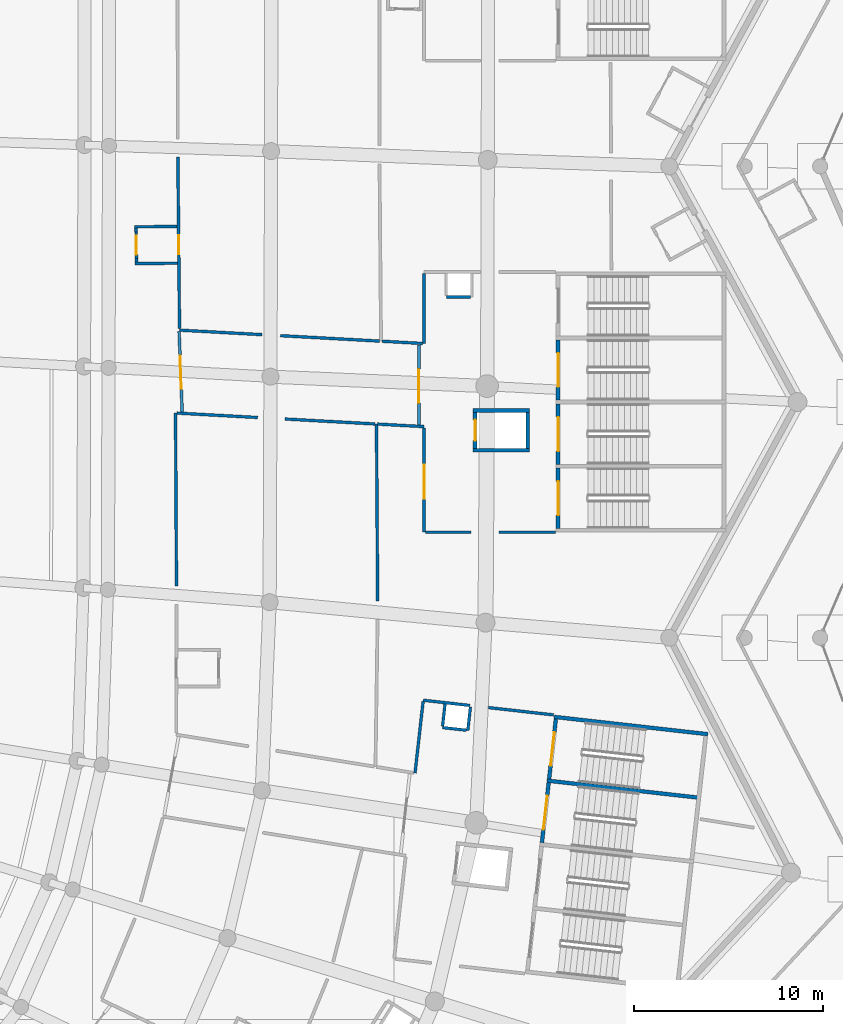
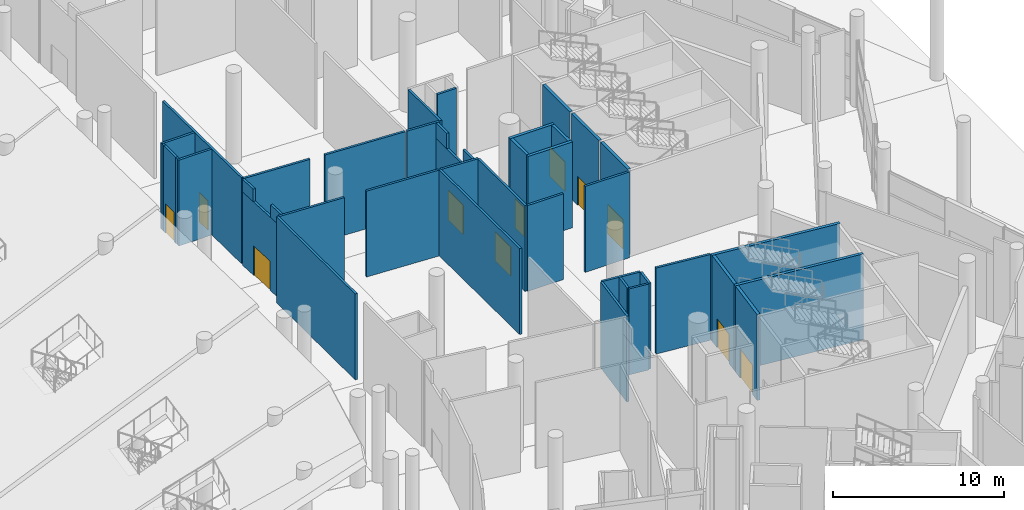
# One storey, part 128 of 255: 42 walls, 11 doors, 11 openings.
"""IFC4 building model written with IfcOpenShell, lengths in metres."""

from ifc_helpers import new_model, si_unit, direction, frame, frame_2d, origin, place, context, subcontext, project, spatial, rectangle, extrude, material, layer, layer_set, type_object, element, fill, save


model = new_model("IFC4")

# Units and contexts
model_context = context("Model", 3, precision=1e-05, world=origin(), true_north=direction((0.0, 1.0)))
body_context = subcontext(model_context, "Body", "Model", "MODEL_VIEW")
ifc_project = project(units=[si_unit("LENGTHUNIT", "METRE"), si_unit("AREAUNIT", "SQUARE_METRE"), si_unit("VOLUMEUNIT", "CUBIC_METRE"), si_unit("PLANEANGLEUNIT", "RADIAN"), si_unit("MASSUNIT", "GRAM", prefix="KILO")], contexts=[model_context])

# Site, building, storey
site_placement = place(None, origin())
site = spatial("IfcSite", under=ifc_project, at=site_placement, CompositionType="ELEMENT")
building_placement = place(site_placement, origin())
building = spatial("IfcBuilding", under=site, at=building_placement, Name="Meseta Stadium", CompositionType="ELEMENT")
storey_placement = place(building_placement, origin())
storey = spatial("IfcBuildingStorey", under=building, at=storey_placement, Name="L00", CompositionType="ELEMENT", Elevation=0.0)

# Walls
ifc_material_1 = material(Name="Concrete C40/50", Category="concrete")
ifc_layer_1 = layer(ifc_material_1, 0.199951171875)
ifc_layer_set_1 = layer_set([ifc_layer_1], Name="Core divider wall 200")
wall_type_1 = type_object("IfcWallType", Name="Core divider wall 200", PredefinedType="SHEAR", material=ifc_layer_set_1)
wall_1_placement = place(storey_placement, frame((96.264892578125, -52.241943359375, 0.0), z_axis=(0.0, 0.0, 1.0), x_axis=(-0.993713731549, 0.111950970206, 0.0)))
element("IfcWall", 1, at=wall_1_placement, inside=storey, type_object=wall_type_1, Name="Core 01 L00 stair B divider wall", PredefinedType="SHEAR", context=body_context, shape_type="SweptSolid", body=[
    extrude(rectangle(XDim=8.19970703125, YDim=0.199951171875, at=frame_2d((4.099853515625, 0.0))), origin(), (0.0, 0.0, 1.0), 6.14990234375),
])
ifc_material_2 = material(Name="Concrete C40/50", Category="concrete")
ifc_layer_2 = layer(ifc_material_2, 0.199951171875)
ifc_layer_set_2 = layer_set([ifc_layer_2], Name="Core shaft wall 200")
wall_type_2 = type_object("IfcWallType", Name="Core shaft wall 200", PredefinedType="SHEAR", material=ifc_layer_set_2)
wall_2_placement = place(storey_placement, frame((96.645751953125, -48.86328125, 0.0), z_axis=(0.0, 0.0, 1.0), x_axis=(-0.993714104693, 0.111947658007, 0.0)))
element("IfcWall", 2, at=wall_2_placement, inside=storey, type_object=wall_type_2, Name="Core 01 L00 stair wall B-side", PredefinedType="SHEAR", context=body_context, shape_type="SweptSolid", body=[
    extrude(rectangle(XDim=8.199951171875, YDim=0.199951171875, at=frame_2d((4.10009765625, 0.0))), origin(), (0.0, 0.0, 1.0), 6.14990234375),
])

# Wall, opening, door
wall_3_placement = place(storey_placement, frame((87.846435546875, -54.6142578125, 0.0), z_axis=(0.0, 0.0, 1.0), x_axis=(0.112005735442, 0.993707560215, 0.0)))
wall_3 = element("IfcWall", 3, at=wall_3_placement, inside=storey, type_object=wall_type_2, Name="Core 01 L00 stair B1 inner end wall", PredefinedType="SHEAR", context=body_context, shape_type="SweptSolid", body=[
    extrude(rectangle(XDim=3.19970703125, YDim=0.199951171875, at=frame_2d((1.599853515625, 0.0))), origin(), (0.0, 0.0, 1.0), 6.14990234375),
])
opening_1_placement = place(wall_3_placement, frame((0.699951171875, 0.0, 0.0)))
opening_1 = element("IfcOpeningElement", 4, at=opening_1_placement, cuts=wall_3, Name="Opening D037", PredefinedType="OPENING", context=body_context, shape_type="SweptSolid", body=[
    extrude(rectangle(XDim=1.800048828125, YDim=2.10009765625, at=frame_2d((0.89990234375, 1.050048828125))), frame((0.0, 0.10986328125, 0.0), z_axis=(0.0, -1.0, 0.0), x_axis=(1.0, 0.0, 0.0)), (0.0, 0.0, 1.0), 0.219970703125),
])
ifc_material_3 = material(Name="Steel", Category="steel")
door_type_1 = type_object("IfcDoorType", Name="Stair door 1800x2100", OperationType="DOUBLE_DOOR_SINGLE_SWING", PredefinedType="DOOR", material=ifc_material_3)
door_1_placement = place(opening_1_placement, origin())
door_1 = element("IfcDoor", 5, at=door_1_placement, inside=storey, type_object=door_type_1, Name="Stair B1 door 01 L00", OperationType="DOUBLE_DOOR_SINGLE_SWING", OverallHeight=2.10009765625, OverallWidth=1.800048828125, PredefinedType="DOOR", context=body_context, shape_type="SweptSolid", body=[
    extrude(rectangle(XDim=1.800048828125, YDim=2.10009765625, at=frame_2d((0.89990234375, 1.050048828125))), frame((0.0, 0.02490234375, 0.0), z_axis=(0.0, -1.0, 0.0), x_axis=(1.0, 0.0, 0.0)), (0.0, 0.0, 1.0), 0.050048828125),
])
fill(opening_1, door_1)

wall_4_placement = place(storey_placement, frame((88.227294921875, -51.235595703125, 0.0), z_axis=(0.0, 0.0, 1.0), x_axis=(0.111930393474, 0.993716049491, 0.0)))
wall_4 = element("IfcWall", 6, at=wall_4_placement, inside=storey, type_object=wall_type_2, Name="Core 01 L00 stair B2 inner end wall", PredefinedType="SHEAR", context=body_context, shape_type="SweptSolid", body=[
    extrude(rectangle(XDim=3.19970703125, YDim=0.199951171875, at=frame_2d((1.599853515625, 0.0))), origin(), (0.0, 0.0, 1.0), 6.14990234375),
])
opening_2_placement = place(wall_4_placement, frame((0.699951171875, 0.0, 0.0)))
opening_2 = element("IfcOpeningElement", 7, at=opening_2_placement, cuts=wall_4, Name="Opening D038", PredefinedType="OPENING", context=body_context, shape_type="SweptSolid", body=[
    extrude(rectangle(XDim=1.800048828125, YDim=2.10009765625, at=frame_2d((0.89990234375, 1.050048828125))), frame((0.0, 0.10986328125, 0.0), z_axis=(0.0, -1.0, 0.0), x_axis=(1.0, 0.0, 0.0)), (0.0, 0.0, 1.0), 0.219970703125),
])
door_2_placement = place(opening_2_placement, origin())
door_2 = element("IfcDoor", 8, at=door_2_placement, inside=storey, type_object=door_type_1, Name="Stair B2 door 01 L00", OperationType="DOUBLE_DOOR_SINGLE_SWING", OverallHeight=2.10009765625, OverallWidth=1.800048828125, PredefinedType="DOOR", context=body_context, shape_type="SweptSolid", body=[
    extrude(rectangle(XDim=1.800048828125, YDim=2.10009765625, at=frame_2d((0.89990234375, 1.050048828125))), frame((0.0, 0.02490234375, 0.0), z_axis=(0.0, -1.0, 0.0), x_axis=(1.0, 0.0, 0.0)), (0.0, 0.0, 1.0), 0.050048828125),
])
fill(opening_2, door_2)

wall_5_placement = place(storey_placement, frame((88.699951171875, -37.949951171875, 0.0), z_axis=(0.0, 0.0, 1.0), x_axis=(0.0, 1.0, 0.0)))
wall_5 = element("IfcWall", 9, at=wall_5_placement, inside=storey, type_object=wall_type_2, Name="Core 02 L00 stair A1 inner end wall", PredefinedType="SHEAR", context=body_context, shape_type="SweptSolid", body=[
    extrude(rectangle(XDim=3.199951171875, YDim=0.199951171875, at=frame_2d((1.60009765625, 0.0))), origin(), (0.0, 0.0, 1.0), 6.14990234375),
])
opening_3_placement = place(wall_5_placement, frame((0.699951171875, 0.0, 0.0)))
opening_3 = element("IfcOpeningElement", 10, at=opening_3_placement, cuts=wall_5, Name="Opening D047", PredefinedType="OPENING", context=body_context, shape_type="SweptSolid", body=[
    extrude(rectangle(XDim=1.800048828125, YDim=2.10009765625, at=frame_2d((0.89990234375, 1.050048828125))), frame((0.0, 0.10986328125, 0.0), z_axis=(0.0, -1.0, 0.0), x_axis=(1.0, 0.0, 0.0)), (0.0, 0.0, 1.0), 0.219970703125),
])
door_3_placement = place(opening_3_placement, origin())
door_3 = element("IfcDoor", 11, at=door_3_placement, inside=storey, type_object=door_type_1, Name="Stair A1 door 02 L00", OperationType="DOUBLE_DOOR_SINGLE_SWING", OverallHeight=2.10009765625, OverallWidth=1.800048828125, PredefinedType="DOOR", context=body_context, shape_type="SweptSolid", body=[
    extrude(rectangle(XDim=1.800048828125, YDim=2.10009765625, at=frame_2d((0.89990234375, 1.050048828125))), frame((0.0, 0.02490234375, 0.0), z_axis=(0.0, -1.0, 0.0), x_axis=(1.0, 0.0, 0.0)), (0.0, 0.0, 1.0), 0.050048828125),
])
fill(opening_3, door_3)

wall_6_placement = place(storey_placement, frame((88.699951171875, -34.550048828125, 0.0), z_axis=(0.0, 0.0, 1.0), x_axis=(0.0, 1.0, 0.0)))
wall_6 = element("IfcWall", 12, at=wall_6_placement, inside=storey, type_object=wall_type_2, Name="Core 02 L00 stair A2 inner end wall", PredefinedType="SHEAR", context=body_context, shape_type="SweptSolid", body=[
    extrude(rectangle(XDim=3.199951171875, YDim=0.199951171875, at=frame_2d((1.60009765625, 0.0))), origin(), (0.0, 0.0, 1.0), 6.14990234375),
])
opening_4_placement = place(wall_6_placement, frame((0.699951171875, 0.0, 0.0)))
opening_4 = element("IfcOpeningElement", 13, at=opening_4_placement, cuts=wall_6, Name="Opening D048", PredefinedType="OPENING", context=body_context, shape_type="SweptSolid", body=[
    extrude(rectangle(XDim=1.800048828125, YDim=2.10009765625, at=frame_2d((0.89990234375, 1.050048828125))), frame((0.0, 0.10986328125, 0.0), z_axis=(0.0, -1.0, 0.0), x_axis=(1.0, 0.0, 0.0)), (0.0, 0.0, 1.0), 0.219970703125),
])
door_4_placement = place(opening_4_placement, origin())
door_4 = element("IfcDoor", 14, at=door_4_placement, inside=storey, type_object=door_type_1, Name="Stair A2 door 02 L00", OperationType="DOUBLE_DOOR_SINGLE_SWING", OverallHeight=2.10009765625, OverallWidth=1.800048828125, PredefinedType="DOOR", context=body_context, shape_type="SweptSolid", body=[
    extrude(rectangle(XDim=1.800048828125, YDim=2.10009765625, at=frame_2d((0.89990234375, 1.050048828125))), frame((0.0, 0.02490234375, 0.0), z_axis=(0.0, -1.0, 0.0), x_axis=(1.0, 0.0, 0.0)), (0.0, 0.0, 1.0), 0.050048828125),
])
fill(opening_4, door_4)

wall_7_placement = place(storey_placement, frame((88.699951171875, -31.14990234375, 0.0), z_axis=(0.0, 0.0, 1.0), x_axis=(0.0, 1.0, 0.0)))
wall_7 = element("IfcWall", 15, at=wall_7_placement, inside=storey, type_object=wall_type_2, Name="Core 02 L00 stair B1 inner end wall", PredefinedType="SHEAR", context=body_context, shape_type="SweptSolid", body=[
    extrude(rectangle(XDim=3.199951171875, YDim=0.199951171875, at=frame_2d((1.60009765625, 0.0))), origin(), (0.0, 0.0, 1.0), 6.14990234375),
])
opening_5_placement = place(wall_7_placement, frame((0.699951171875, 0.0, 0.0)))
opening_5 = element("IfcOpeningElement", 16, at=opening_5_placement, cuts=wall_7, Name="Opening D049", PredefinedType="OPENING", context=body_context, shape_type="SweptSolid", body=[
    extrude(rectangle(XDim=1.800048828125, YDim=2.10009765625, at=frame_2d((0.89990234375, 1.050048828125))), frame((0.0, 0.10986328125, 0.0), z_axis=(0.0, -1.0, 0.0), x_axis=(1.0, 0.0, 0.0)), (0.0, 0.0, 1.0), 0.219970703125),
])
door_5_placement = place(opening_5_placement, origin())
door_5 = element("IfcDoor", 17, at=door_5_placement, inside=storey, type_object=door_type_1, Name="Stair B1 door 02 L00", OperationType="DOUBLE_DOOR_SINGLE_SWING", OverallHeight=2.10009765625, OverallWidth=1.800048828125, PredefinedType="DOOR", context=body_context, shape_type="SweptSolid", body=[
    extrude(rectangle(XDim=1.800048828125, YDim=2.10009765625, at=frame_2d((0.89990234375, 1.050048828125))), frame((0.0, 0.02490234375, 0.0), z_axis=(0.0, -1.0, 0.0), x_axis=(1.0, 0.0, 0.0)), (0.0, 0.0, 1.0), 0.050048828125),
])
fill(opening_5, door_5)

# Walls
for number, where, z_axis, x_axis, name in (
    (18, (87.199951171875, -33.800048828125, 0.0), (0.0, 0.0, 1.0), (-1.0, 0.0, 0.0), "Core 02 L00 lift shaft wall left"),
    (19, (87.199951171875, -31.699951171875, 0.0), (0.0, 0.0, 1.0), (-1.0, 0.0, 0.0), "Core 02 L00 lift shaft wall right"),
):
    element("IfcWall", number, at=place(storey_placement, frame(where, z_axis=z_axis, x_axis=x_axis)), inside=storey, type_object=wall_type_2, Name=name, PredefinedType="SHEAR", context=body_context, shape_type="SweptSolid", body=[
        extrude(rectangle(XDim=3.0, YDim=0.199951171875, at=frame_2d((1.5, 0.0))), origin(), (0.0, 0.0, 1.0), 6.14990234375),
    ])
wall_8_placement = place(storey_placement, frame((87.10009765625, -33.699951171875, 0.0), z_axis=(0.0, 0.0, 1.0), x_axis=(0.0, 1.0, 0.0)))
element("IfcWall", 20, at=wall_8_placement, inside=storey, type_object=wall_type_2, Name="Core 02 L00 lift shaft back wall", PredefinedType="SHEAR", context=body_context, shape_type="SweptSolid", body=[
    extrude(rectangle(XDim=1.89990234375, YDim=0.199951171875, at=frame_2d((0.949951171875, 0.0))), origin(), (0.0, 0.0, 1.0), 6.14990234375),
])

# Wall, opening, door
wall_9_placement = place(storey_placement, frame((84.300048828125, -33.699951171875, 0.0), z_axis=(0.0, 0.0, 1.0), x_axis=(0.0, 1.0, 0.0)))
wall_9 = element("IfcWall", 21, at=wall_9_placement, inside=storey, type_object=wall_type_2, Name="Core 02 L00 lift shaft front wall", PredefinedType="SHEAR", context=body_context, shape_type="SweptSolid", body=[
    extrude(rectangle(XDim=1.89990234375, YDim=0.199951171875, at=frame_2d((0.949951171875, 0.0))), origin(), (0.0, 0.0, 1.0), 6.14990234375),
])
opening_6_placement = place(wall_9_placement, frame((0.39990234375, 0.0, 0.0)))
opening_6 = element("IfcOpeningElement", 22, at=opening_6_placement, cuts=wall_9, Name="Opening LD8", PredefinedType="OPENING", context=body_context, shape_type="SweptSolid", body=[
    extrude(rectangle(XDim=1.10009765625, YDim=2.10009765625, at=frame_2d((0.550048828125, 1.050048828125))), frame((0.0, 0.10986328125, 0.0), z_axis=(0.0, -1.0, 0.0), x_axis=(1.0, 0.0, 0.0)), (0.0, 0.0, 1.0), 0.219970703125),
])
ifc_material_4 = material(Name="Steel", Category="steel")
door_type_2 = type_object("IfcDoorType", Name="Lift landing door 1100x2100", OperationType="SLIDING_TO_LEFT", PredefinedType="DOOR", material=ifc_material_4)
door_6_placement = place(opening_6_placement, origin())
door_6 = element("IfcDoor", 23, at=door_6_placement, inside=storey, type_object=door_type_2, Name="Lift landing door LD8", OperationType="SLIDING_TO_RIGHT", OverallHeight=2.10009765625, OverallWidth=1.10009765625, PredefinedType="DOOR", context=body_context, shape_type="SweptSolid", body=[
    extrude(rectangle(XDim=1.10009765625, YDim=2.10009765625, at=frame_2d((0.550048828125, 1.050048828125))), frame((0.0, 0.02490234375, 0.0), z_axis=(0.0, -1.0, 0.0), x_axis=(1.0, 0.0, 0.0)), (0.0, 0.0, 1.0), 0.050048828125),
])
fill(opening_6, door_6)

# Walls
ifc_material_5 = material(Name="Masonry blockwork", Category="masonry")
ifc_layer_3 = layer(ifc_material_5, 0.14990234375)
ifc_layer_set_3 = layer_set([ifc_layer_3], Name="Partition 150")
wall_type_3 = type_object("IfcWallType", Name="Partition 150", PredefinedType="PARTITIONING", material=ifc_layer_set_3)
wall_10_placement = place(storey_placement, frame((79.072265625, -32.41552734375, 0.0), z_axis=(0.0, 0.0, 1.0), x_axis=(0.006628223816, -0.999978033083, 0.0)))
element("IfcWall", 24, at=wall_10_placement, inside=storey, type_object=wall_type_3, Name="Partition L00 L00-cell00-1-0", PredefinedType="PARTITIONING", context=body_context, shape_type="SweptSolid", body=[
    extrude(rectangle(XDim=9.392578125, YDim=0.14990234375, at=frame_2d((4.6962890625, 0.0))), origin(), (0.0, 0.0, 1.0), 6.14990234375),
])
wall_11_placement = place(storey_placement, frame((68.466552734375, -41.00048828125, 0.0), z_axis=(0.0, 0.0, 1.0), x_axis=(-0.005591413512, 0.999984367925, 0.0)))
element("IfcWall", 25, at=wall_11_placement, inside=storey, type_object=wall_type_3, Name="Partition L00 L00-cell00-1-0", PredefinedType="PARTITIONING", context=body_context, shape_type="SweptSolid", body=[
    extrude(rectangle(XDim=9.16943359375, YDim=0.14990234375, at=frame_2d((4.584716796875, 0.0))), origin(), (0.0, 0.0, 1.0), 6.14990234375),
])
wall_12_placement = place(storey_placement, frame((68.490234375, -31.83544921875, 0.0), z_axis=(0.0, 0.0, 1.0), x_axis=(0.998501045086, -0.054732649879, 0.0)))
element("IfcWall", 26, at=wall_12_placement, inside=storey, type_object=wall_type_3, Name="Partition L00 L00-cell00-1-0", PredefinedType="PARTITIONING", context=body_context, shape_type="SweptSolid", body=[
    extrude(rectangle(XDim=4.291015625, YDim=0.14990234375, at=frame_2d((2.1455078125, 0.0))), origin(), (0.0, 0.0, 1.0), 6.14990234375),
])
wall_13_placement = place(storey_placement, frame((74.22802734375, -32.14990234375, 0.0), z_axis=(0.0, 0.0, 1.0), x_axis=(0.998497711882, -0.054793424476, 0.0)))
element("IfcWall", 27, at=wall_13_placement, inside=storey, type_object=wall_type_3, Name="Partition L00 L00-cell00-1-0", PredefinedType="PARTITIONING", context=body_context, shape_type="SweptSolid", body=[
    extrude(rectangle(XDim=4.7763671875, YDim=0.14990234375, at=frame_2d((2.38818359375, 0.0))), origin(), (0.0, 0.0, 1.0), 6.14990234375),
])
wall_14_placement = place(storey_placement, frame((88.46875, -47.84130859375, 0.0), z_axis=(0.0, 0.0, 1.0), x_axis=(-0.993720107873, 0.111894357364, 0.0)))
element("IfcWall", 28, at=wall_14_placement, inside=storey, type_object=wall_type_3, Name="Partition L00 L00-cell00-2-0", PredefinedType="PARTITIONING", context=body_context, shape_type="SweptSolid", body=[
    extrude(rectangle(XDim=3.480224609375, YDim=0.14990234375, at=frame_2d((1.740234375, 0.0))), origin(), (0.0, 0.0, 1.0), 6.14990234375),
])
wall_15_placement = place(storey_placement, frame((84.022705078125, -47.340576171875, 0.0), z_axis=(0.0, 0.0, 1.0), x_axis=(-0.993701549417, 0.112059049998, 0.0)))
element("IfcWall", 29, at=wall_15_placement, inside=storey, type_object=wall_type_3, Name="Partition L00 L00-cell00-2-0", PredefinedType="PARTITIONING", context=body_context, shape_type="SweptSolid", body=[
    extrude(rectangle(XDim=2.48583984375, YDim=0.14990234375, at=frame_2d((1.242919921875, 0.0))), origin(), (0.0, 0.0, 1.0), 6.14990234375),
])
wall_16_placement = place(storey_placement, frame((81.544189453125, -47.13671875, 0.0), z_axis=(0.0, 0.0, 1.0), x_axis=(-0.111997797138, -0.993708454949, 0.0)))
element("IfcWall", 30, at=wall_16_placement, inside=storey, type_object=wall_type_3, Name="Partition L00 L00-cell00-2-0", PredefinedType="PARTITIONING", context=body_context, shape_type="SweptSolid", body=[
    extrude(rectangle(XDim=3.814697265625, YDim=0.14990234375, at=frame_2d((1.9072265625, 0.0))), origin(), (0.0, 0.0, 1.0), 6.14990234375),
])
wall_17_placement = place(storey_placement, frame((79.122314453125, -32.418212890625, 0.0), z_axis=(0.0, 0.0, 1.0), x_axis=(0.998497362752, -0.05479978629, 0.0)))
element("IfcWall", 31, at=wall_17_placement, inside=storey, type_object=wall_type_3, Name="Partition L00 L00-cell00-2-0", PredefinedType="PARTITIONING", context=body_context, shape_type="SweptSolid", body=[
    extrude(rectangle(XDim=2.4814453125, YDim=0.14990234375, at=frame_2d((1.24072265625, 0.0))), origin(), (0.0, 0.0, 1.0), 6.14990234375),
])

# Wall, opening, door
wall_18_placement = place(storey_placement, frame((81.60009765625, -32.62939453125, 0.0), z_axis=(0.0, 0.0, 1.0), x_axis=(0.0, -1.0, 0.0)))
wall_18 = element("IfcWall", 32, at=wall_18_placement, inside=storey, type_object=wall_type_3, Name="Partition L00 L00-cell00-2-0", PredefinedType="PARTITIONING", context=body_context, shape_type="SweptSolid", body=[
    extrude(rectangle(XDim=5.5205078125, YDim=0.14990234375, at=frame_2d((2.76025390625, 0.0))), origin(), (0.0, 0.0, 1.0), 6.14990234375),
])
opening_7_placement = place(wall_18_placement, frame((1.949951171875, 0.0, 0.0)))
opening_7 = element("IfcOpeningElement", 33, at=opening_7_placement, cuts=wall_18, Name="Opening D536", PredefinedType="OPENING", context=body_context, shape_type="SweptSolid", body=[
    extrude(rectangle(XDim=1.800048828125, YDim=2.10009765625, at=frame_2d((0.89990234375, 1.050048828125))), frame((0.0, 0.0849609375, 0.0), z_axis=(0.0, -1.0, 0.0), x_axis=(1.0, 0.0, 0.0)), (0.0, 0.0, 1.0), 0.169921875),
])
ifc_material_6 = material(Name="Timber", Category="wood")
door_type_3 = type_object("IfcDoorType", Name="Room double door 1800x2100", OperationType="DOUBLE_DOOR_SINGLE_SWING", PredefinedType="DOOR", material=ifc_material_6)
door_7_placement = place(opening_7_placement, origin())
door_7 = element("IfcDoor", 34, at=door_7_placement, inside=storey, type_object=door_type_3, Name="Door D536", OperationType="DOUBLE_DOOR_SINGLE_SWING", OverallHeight=2.10009765625, OverallWidth=1.800048828125, PredefinedType="DOOR", context=body_context, shape_type="SweptSolid", body=[
    extrude(rectangle(XDim=1.800048828125, YDim=2.10009765625, at=frame_2d((0.89990234375, 1.050048828125))), frame((0.0, 0.02490234375, 0.0), z_axis=(0.0, -1.0, 0.0), x_axis=(1.0, 0.0, 0.0)), (0.0, 0.0, 1.0), 0.050048828125),
])
fill(opening_7, door_7)

# Walls
wall_19_placement = place(storey_placement, frame((81.675048828125, -38.14990234375, 0.0), z_axis=(0.0, 0.0, 1.0), x_axis=(1.0, 0.0, 0.0)))
element("IfcWall", 35, at=wall_19_placement, inside=storey, type_object=wall_type_3, Name="Partition L00 L00-cell00-2-0", PredefinedType="PARTITIONING", context=body_context, shape_type="SweptSolid", body=[
    extrude(rectangle(XDim=2.41064453125, YDim=0.14990234375, at=frame_2d((1.205322265625, 0.0))), origin(), (0.0, 0.0, 1.0), 6.14990234375),
])
wall_20_placement = place(storey_placement, frame((85.5771484375, -38.14990234375, 0.0), z_axis=(0.0, 0.0, 1.0), x_axis=(1.0, 0.0, 0.0)))
element("IfcWall", 36, at=wall_20_placement, inside=storey, type_object=wall_type_3, Name="Partition L00 L00-cell00-2-0", PredefinedType="PARTITIONING", context=body_context, shape_type="SweptSolid", body=[
    extrude(rectangle(XDim=2.98291015625, YDim=0.14990234375, at=frame_2d((1.491455078125, 0.0))), origin(), (0.0, 0.0, 1.0), 6.14990234375),
])
wall_21_placement = place(storey_placement, frame((79.238037109375, -28.01806640625, 0.0), z_axis=(0.0, 0.0, 1.0), x_axis=(-0.998499830686, 0.054754799968, 0.0)))
element("IfcWall", 37, at=wall_21_placement, inside=storey, type_object=wall_type_3, Name="Partition L00 L00-cell01-1-0", PredefinedType="PARTITIONING", context=body_context, shape_type="SweptSolid", body=[
    extrude(rectangle(XDim=5.274658203125, YDim=0.14990234375, at=frame_2d((2.63720703125, 0.0))), origin(), (0.0, 0.0, 1.0), 6.14990234375),
])
wall_22_placement = place(storey_placement, frame((72.999755859375, -27.676025390625, 0.0), z_axis=(0.0, 0.0, 1.0), x_axis=(-0.998501943603, 0.05471625554, 0.0)))
element("IfcWall", 38, at=wall_22_placement, inside=storey, type_object=wall_type_3, Name="Partition L00 L00-cell01-1-0", PredefinedType="PARTITIONING", context=body_context, shape_type="SweptSolid", body=[
    extrude(rectangle(XDim=4.377197265625, YDim=0.14990234375, at=frame_2d((2.1884765625, 0.0))), origin(), (0.0, 0.0, 1.0), 6.14990234375),
])

# Wall, opening, door
wall_23_placement = place(storey_placement, frame((68.62841796875, -27.361328125, 0.0), z_axis=(0.0, 0.0, 1.0), x_axis=(-0.009740581754, 0.999952559408, 0.0)))
wall_23 = element("IfcWall", 39, at=wall_23_placement, inside=storey, type_object=wall_type_3, Name="Partition L00 L00-cell01-1-0", PredefinedType="PARTITIONING", context=body_context, shape_type="SweptSolid", body=[
    extrude(rectangle(XDim=9.098388671875, YDim=0.14990234375, at=frame_2d((4.54931640625, 0.0))), origin(), (0.0, 0.0, 1.0), 6.14990234375),
])
opening_8_placement = place(wall_23_placement, frame((3.949951171875, 0.0, 0.0)))
opening_8 = element("IfcOpeningElement", 40, at=opening_8_placement, cuts=wall_23, Name="Opening D537", PredefinedType="OPENING", context=body_context, shape_type="SweptSolid", body=[
    extrude(rectangle(XDim=1.0, YDim=2.10009765625, at=frame_2d((0.5, 1.050048828125))), frame((0.0, 0.0849609375, 0.0), z_axis=(0.0, -1.0, 0.0), x_axis=(1.0, 0.0, 0.0)), (0.0, 0.0, 1.0), 0.169921875),
])
ifc_material_7 = material(Name="Steel", Category="steel")
door_type_4 = type_object("IfcDoorType", Name="Fire door 1000x2100 EI2 60", OperationType="NOTDEFINED", PredefinedType="DOOR", material=ifc_material_7)
door_8_placement = place(opening_8_placement, origin())
door_8 = element("IfcDoor", 41, at=door_8_placement, inside=storey, type_object=door_type_4, Name="Door D537", OperationType="SINGLE_SWING_LEFT", OverallHeight=2.10009765625, OverallWidth=1.0, PredefinedType="DOOR", context=body_context, shape_type="SweptSolid", body=[
    extrude(rectangle(XDim=1.0, YDim=2.10009765625, at=frame_2d((0.5, 1.050048828125))), frame((0.0, 0.02490234375, 0.0), z_axis=(0.0, -1.0, 0.0), x_axis=(1.0, 0.0, 0.0)), (0.0, 0.0, 1.0), 0.050048828125),
])
fill(opening_8, door_8)

# Walls
wall_24_placement = place(storey_placement, frame((81.60009765625, -24.425048828125, 0.0), z_axis=(0.0, 0.0, 1.0), x_axis=(0.0, -1.0, 0.0)))
element("IfcWall", 42, at=wall_24_placement, inside=storey, type_object=wall_type_3, Name="Partition L00 L00-cell01-2-0", PredefinedType="PARTITIONING", context=body_context, shape_type="SweptSolid", body=[
    extrude(rectangle(XDim=3.72265625, YDim=0.14990234375, at=frame_2d((1.861328125, 0.0))), origin(), (0.0, 0.0, 1.0), 6.14990234375),
])
wall_25_placement = place(storey_placement, frame((81.52490234375, -28.1435546875, 0.0), z_axis=(0.0, 0.0, 1.0), x_axis=(-0.998497253929, 0.054801769103, 0.0)))
element("IfcWall", 43, at=wall_25_placement, inside=storey, type_object=wall_type_3, Name="Partition L00 L00-cell01-2-0", PredefinedType="PARTITIONING", context=body_context, shape_type="SweptSolid", body=[
    extrude(rectangle(XDim=2.1650390625, YDim=0.14990234375, at=frame_2d((1.08251953125, 0.0))), origin(), (0.0, 0.0, 1.0), 6.14990234375),
])
wall_26_placement = place(storey_placement, frame((83.913330078125, -48.66162109375, 0.0), z_axis=(0.0, 0.0, 1.0), x_axis=(0.111804424032, 0.993730230378, 0.0)))
element("IfcWall", 44, at=wall_26_placement, inside=storey, type_object=wall_type_3, Name="Pressurisation shaft wall L00 core 01", PredefinedType="PARTITIONING", context=body_context, shape_type="SweptSolid", body=[
    extrude(rectangle(XDim=1.2490234375, YDim=0.14990234375, at=frame_2d((0.62451171875, 0.0))), origin(), (0.0, 0.0, 1.0), 6.14990234375),
])
wall_27_placement = place(storey_placement, frame((82.711669921875, -47.269287109375, 0.0), z_axis=(0.0, 0.0, 1.0), x_axis=(-0.112097694808, -0.993697190707, 0.0)))
element("IfcWall", 45, at=wall_27_placement, inside=storey, type_object=wall_type_3, Name="Pressurisation shaft wall L00 core 01", PredefinedType="PARTITIONING", context=body_context, shape_type="SweptSolid", body=[
    extrude(rectangle(XDim=1.173828125, YDim=0.14990234375, at=frame_2d((0.5869140625, 0.0))), origin(), (0.0, 0.0, 1.0), 6.14990234375),
])
wall_28_placement = place(storey_placement, frame((82.57177734375, -48.510498046875, 0.0), z_axis=(0.0, 0.0, 1.0), x_axis=(0.993726262285, -0.111839687257, 0.0)))
element("IfcWall", 46, at=wall_28_placement, inside=storey, type_object=wall_type_3, Name="Pressurisation shaft wall L00 core 01", PredefinedType="PARTITIONING", context=body_context, shape_type="SweptSolid", body=[
    extrude(rectangle(XDim=1.27490234375, YDim=0.14990234375, at=frame_2d((0.637451171875, 0.0))), origin(), (0.0, 0.0, 1.0), 6.14990234375),
])
wall_29_placement = place(storey_placement, frame((82.77490234375, -25.675048828125, 0.0), z_axis=(0.0, 0.0, 1.0), x_axis=(1.0, 0.0, 0.0)))
element("IfcWall", 47, at=wall_29_placement, inside=storey, type_object=wall_type_3, Name="Pressurisation shaft wall L00 core 02", PredefinedType="PARTITIONING", context=body_context, shape_type="SweptSolid", body=[
    extrude(rectangle(XDim=1.275146484375, YDim=0.14990234375, at=frame_2d((0.6376953125, 0.0))), origin(), (0.0, 0.0, 1.0), 6.14990234375),
])
for number, where, z_axis, x_axis, name in (
    (48, (68.51953125, -23.88720703125, 0.0), (0.0, 0.0, 1.0), (-0.999952309346, -0.009766218974, 0.0), "Partition L00 L00-cell01-1-0 vestibule"),
    (49, (68.50048828125, -21.937255859375, 0.0), (0.0, 0.0, 1.0), (-0.999952309346, -0.009766218974, 0.0), "Partition L00 L00-cell01-1-0 vestibule"),
):
    element("IfcWall", number, at=place(storey_placement, frame(where, z_axis=z_axis, x_axis=x_axis)), inside=storey, type_object=wall_type_3, Name=name, PredefinedType="PARTITIONING", context=body_context, shape_type="SweptSolid", body=[
        extrude(rectangle(XDim=2.249755859375, YDim=0.14990234375, at=frame_2d((1.125, 0.0))), origin(), (0.0, 0.0, 1.0), 6.14990234375),
    ])
wall_30_placement = place(storey_placement, frame((66.343994140625, -23.83349609375, 0.0), z_axis=(0.0, 0.0, 1.0), x_axis=(-0.009755633294, 0.999952412677, 0.0)))
element("IfcWall", 50, at=wall_30_placement, inside=storey, type_object=wall_type_3, Name="Partition L00 L00-cell01-1-0 vestibule", PredefinedType="PARTITIONING", context=body_context, shape_type="SweptSolid", body=[
    extrude(rectangle(XDim=0.2001953125, YDim=0.14990234375, at=frame_2d((0.10009765625, 0.0))), origin(), (0.0, 0.0, 1.0), 6.14990234375),
])

# Wall, opening, door
wall_31_placement = place(storey_placement, frame((66.342041015625, -23.63330078125, 0.0), z_axis=(0.0, 0.0, 1.0), x_axis=(-0.009765840518, 0.999952313042, 0.0)))
wall_31 = element("IfcWall", 51, at=wall_31_placement, inside=storey, type_object=wall_type_3, Name="Partition L00 L00-cell01-1-0 vestibule", PredefinedType="PARTITIONING", context=body_context, shape_type="SweptSolid", body=[
    extrude(rectangle(XDim=1.39990234375, YDim=0.14990234375, at=frame_2d((0.699951171875, 0.0))), origin(), (0.0, 0.0, 1.0), 6.14990234375),
])
opening_9_placement = place(wall_31_placement, frame((0.199951171875, 0.0, 0.0)))
opening_9 = element("IfcOpeningElement", 52, at=opening_9_placement, cuts=wall_31, Name="Opening D820", PredefinedType="OPENING", context=body_context, shape_type="SweptSolid", body=[
    extrude(rectangle(XDim=1.0, YDim=2.10009765625, at=frame_2d((0.5, 1.050048828125))), frame((0.0, 0.0849609375, 0.0), z_axis=(0.0, -1.0, 0.0), x_axis=(1.0, 0.0, 0.0)), (0.0, 0.0, 1.0), 0.169921875),
])
door_9_placement = place(opening_9_placement, origin())
door_9 = element("IfcDoor", 53, at=door_9_placement, inside=storey, type_object=door_type_4, Name="Vestibule door L00 L00-cell01-1-0", OperationType="SINGLE_SWING_RIGHT", OverallHeight=2.10009765625, OverallWidth=1.0, PredefinedType="DOOR", context=body_context, shape_type="SweptSolid", body=[
    extrude(rectangle(XDim=1.0, YDim=2.10009765625, at=frame_2d((0.5, 1.050048828125))), frame((0.0, 0.02490234375, 0.0), z_axis=(0.0, -1.0, 0.0), x_axis=(1.0, 0.0, 0.0)), (0.0, 0.0, 1.0), 0.050048828125),
])
fill(opening_9, door_9)

# Wall
wall_32_placement = place(storey_placement, frame((66.328369140625, -22.2333984375, 0.0), z_axis=(0.0, 0.0, 1.0), x_axis=(-0.009767543799, 0.999952296406, 0.0)))
element("IfcWall", 54, at=wall_32_placement, inside=storey, type_object=wall_type_3, Name="Partition L00 L00-cell01-1-0 vestibule", PredefinedType="PARTITIONING", context=body_context, shape_type="SweptSolid", body=[
    extrude(rectangle(XDim=0.199951171875, YDim=0.14990234375, at=frame_2d((0.10009765625, 0.0))), origin(), (0.0, 0.0, 1.0), 6.14990234375),
])

# Wall, opening, door
wall_33_placement = place(storey_placement, frame((81.324951171875, -32.458984375, 0.0), z_axis=(0.0, 0.0, 1.0), x_axis=(0.0, 1.0, 0.0)))
wall_33 = element("IfcWall", 55, at=wall_33_placement, inside=storey, type_object=wall_type_3, Name="Escape corridor sector wall L00 core 02", PredefinedType="PARTITIONING", context=body_context, shape_type="SweptSolid", body=[
    extrude(rectangle(XDim=4.24609375, YDim=0.14990234375, at=frame_2d((2.123046875, 0.0))), origin(), (0.0, 0.0, 1.0), 5.050048828125),
])
opening_10_placement = place(wall_33_placement, frame((1.14990234375, 0.0, 0.0)))
opening_10 = element("IfcOpeningElement", 56, at=opening_10_placement, cuts=wall_33, Name="Opening D406", PredefinedType="OPENING", context=body_context, shape_type="SweptSolid", body=[
    extrude(rectangle(XDim=1.800048828125, YDim=2.10009765625, at=frame_2d((0.89990234375, 1.050048828125))), frame((0.0, 0.0849609375, 0.0), z_axis=(0.0, -1.0, 0.0), x_axis=(1.0, 0.0, 0.0)), (0.0, 0.0, 1.0), 0.169921875),
])
ifc_material_8 = material(Name="Steel", Category="steel")
door_type_5 = type_object("IfcDoorType", Name="Fire double door 1800x2100 EI2 60", OperationType="DOUBLE_DOOR_SINGLE_SWING", PredefinedType="DOOR", material=ifc_material_8)
door_10_placement = place(opening_10_placement, origin())
door_10 = element("IfcDoor", 57, at=door_10_placement, inside=storey, type_object=door_type_5, Name="Escape corridor door EC02-1", OperationType="DOUBLE_DOOR_SINGLE_SWING", OverallHeight=2.10009765625, OverallWidth=1.800048828125, PredefinedType="DOOR", context=body_context, shape_type="SweptSolid", body=[
    extrude(rectangle(XDim=1.800048828125, YDim=2.10009765625, at=frame_2d((0.89990234375, 1.050048828125))), frame((0.0, 0.02490234375, 0.0), z_axis=(0.0, -1.0, 0.0), x_axis=(1.0, 0.0, 0.0)), (0.0, 0.0, 1.0), 0.050048828125),
])
fill(opening_10, door_10)

# Walls
wall_34_placement = place(storey_placement, frame((81.324951171875, -32.458984375, 5.050048828125), z_axis=(0.0, 0.0, 1.0), x_axis=(0.0, 1.0, 0.0)))
element("IfcWall", 58, at=wall_34_placement, inside=storey, type_object=wall_type_3, Name="Escape corridor sector wall L00 core 02", PredefinedType="PARTITIONING", context=body_context, shape_type="SweptSolid", body=[
    extrude(rectangle(XDim=1.10009765625, YDim=0.14990234375, at=frame_2d((0.550048828125, 0.0))), origin(), (0.0, 0.0, 1.0), 1.099853515625),
])
wall_35_placement = place(storey_placement, frame((81.324951171875, -29.458984375, 5.050048828125), z_axis=(0.0, 0.0, 1.0), x_axis=(0.0, 1.0, 0.0)))
element("IfcWall", 59, at=wall_35_placement, inside=storey, type_object=wall_type_3, Name="Escape corridor sector wall L00 core 02", PredefinedType="PARTITIONING", context=body_context, shape_type="SweptSolid", body=[
    extrude(rectangle(XDim=1.24609375, YDim=0.14990234375, at=frame_2d((0.623046875, 0.0))), origin(), (0.0, 0.0, 1.0), 1.099853515625),
])

# Wall, opening, door
wall_36_placement = place(storey_placement, frame((68.76806640625, -31.767578125, 0.0), z_axis=(0.0, 0.0, 1.0), x_axis=(-0.037950234742, 0.999279630375, 0.0)))
wall_36 = element("IfcWall", 60, at=wall_36_placement, inside=storey, type_object=wall_type_3, Name="Escape corridor discharge wall L00 core 02", PredefinedType="PARTITIONING", context=body_context, shape_type="SweptSolid", body=[
    extrude(rectangle(XDim=4.25244140625, YDim=0.14990234375, at=frame_2d((2.126220703125, 0.0))), origin(), (0.0, 0.0, 1.0), 5.25),
])
opening_11_placement = place(wall_36_placement, frame((1.202392578125, 0.0, 0.0)))
opening_11 = element("IfcOpeningElement", 61, at=opening_11_placement, cuts=wall_36, Name="Opening D378", PredefinedType="OPENING", context=body_context, shape_type="SweptSolid", body=[
    extrude(rectangle(XDim=1.800048828125, YDim=2.10009765625, at=frame_2d((0.89990234375, 1.050048828125))), frame((0.0, 0.0849609375, 0.0), z_axis=(0.0, -1.0, 0.0), x_axis=(1.0, 0.0, 0.0)), (0.0, 0.0, 1.0), 0.169921875),
])
door_11_placement = place(opening_11_placement, origin())
door_11 = element("IfcDoor", 62, at=door_11_placement, inside=storey, type_object=door_type_5, Name="Stair discharge door SD02-1", OperationType="DOUBLE_DOOR_SINGLE_SWING", OverallHeight=2.10009765625, OverallWidth=1.800048828125, PredefinedType="DOOR", context=body_context, shape_type="SweptSolid", body=[
    extrude(rectangle(XDim=1.800048828125, YDim=2.10009765625, at=frame_2d((0.89990234375, 1.050048828125))), frame((0.0, 0.02490234375, 0.0), z_axis=(0.0, -1.0, 0.0), x_axis=(1.0, 0.0, 0.0)), (0.0, 0.0, 1.0), 0.050048828125),
])
fill(opening_11, door_11)

# Walls
wall_37_placement = place(storey_placement, frame((68.652099609375, -28.717529296875, 5.25), z_axis=(0.0, 0.0, 1.0), x_axis=(-0.037839330926, 0.999283836072, 0.0)))
element("IfcWall", 63, at=wall_37_placement, inside=storey, type_object=wall_type_3, Name="Escape corridor discharge wall L00 core 02", PredefinedType="PARTITIONING", context=body_context, shape_type="SweptSolid", body=[
    extrude(rectangle(XDim=1.2001953125, YDim=0.14990234375, at=frame_2d((0.60009765625, 0.0))), origin(), (0.0, 0.0, 1.0), 0.89990234375),
])
wall_38_placement = place(storey_placement, frame((68.76806640625, -31.767578125, 5.25), z_axis=(0.0, 0.0, 1.0), x_axis=(-0.037928583753, 0.999280452393, 0.0)))
element("IfcWall", 64, at=wall_38_placement, inside=storey, type_object=wall_type_3, Name="Escape corridor discharge wall L00 core 02", PredefinedType="PARTITIONING", context=body_context, shape_type="SweptSolid", body=[
    extrude(rectangle(XDim=1.152099609375, YDim=0.14990234375, at=frame_2d((0.576171875, 0.0))), origin(), (0.0, 0.0, 1.0), 0.89990234375),
])

save(model, "model.ifc")
